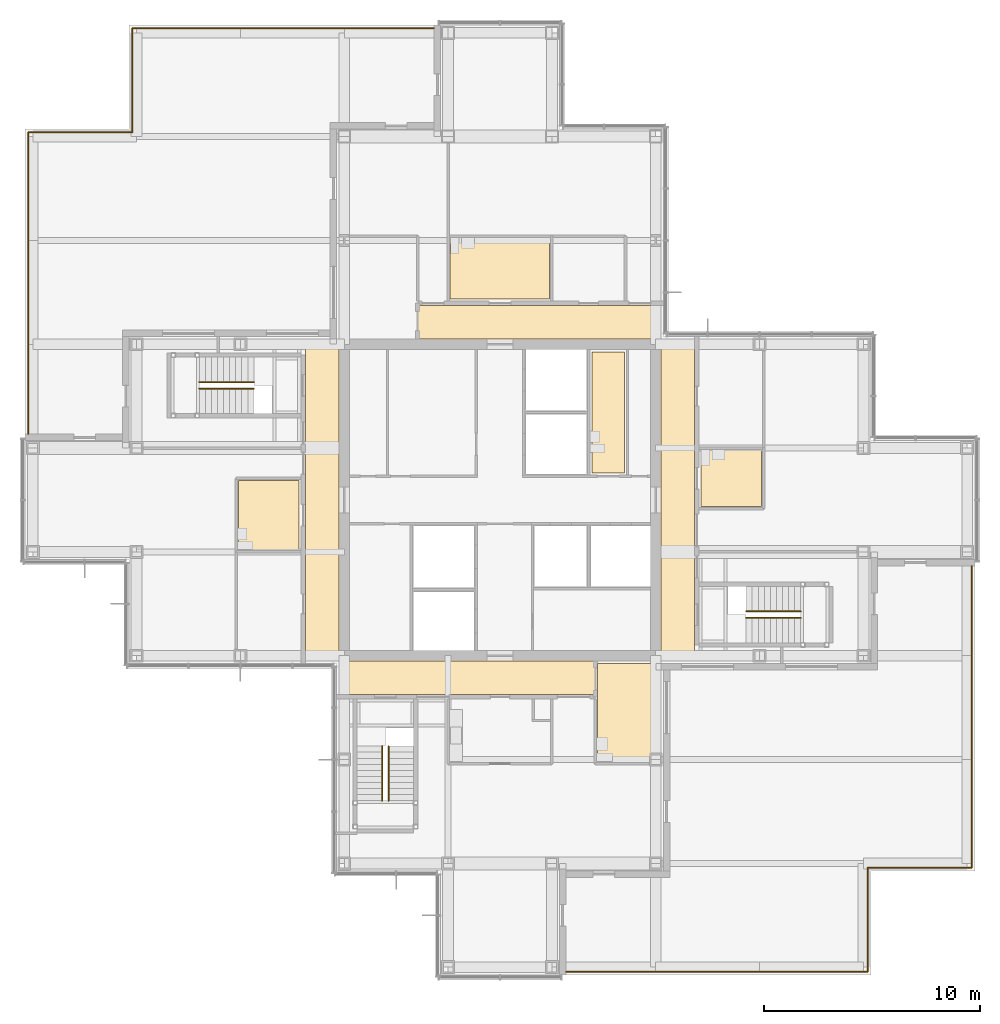
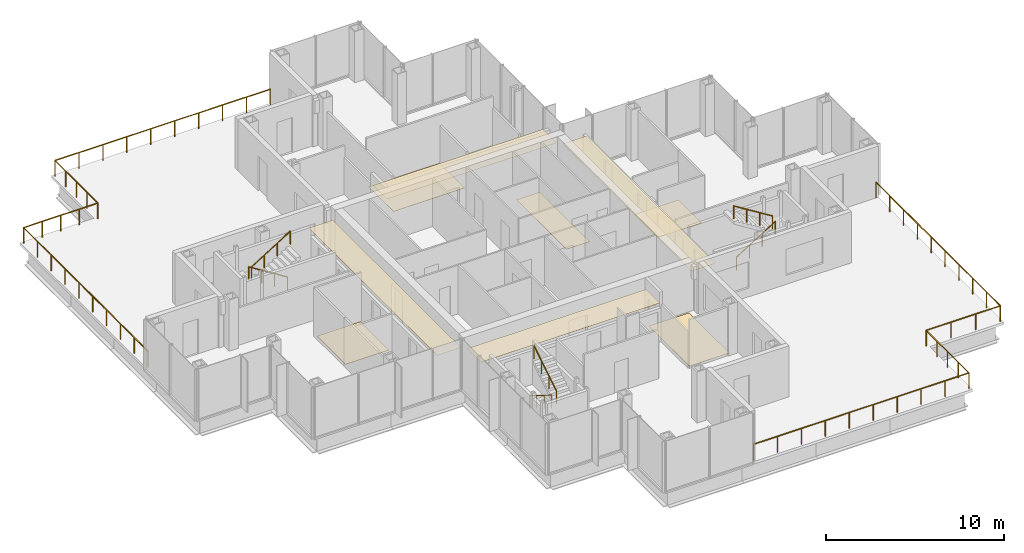
# One storey, part 15 of 17: 14 railings, 9 coverings.
"""IFC4 building model written with IfcOpenShell, lengths in metres."""

from ifc_helpers import new_model, si_unit, direction, frame, origin, origin_2d, place, context, subcontext, project, spatial, polyline, circle, outline, extrude, material, layer, layer_set, type_object, element, save


model = new_model("IFC4")

# Units and contexts
model_context = context("Model", 3, precision=1e-05, world=origin(), true_north=direction((0.0, 1.0)))
body_context = subcontext(model_context, "Body", "Model", "MODEL_VIEW")
ifc_project = project(units=[si_unit("LENGTHUNIT", "METRE"), si_unit("AREAUNIT", "SQUARE_METRE"), si_unit("VOLUMEUNIT", "CUBIC_METRE"), si_unit("PLANEANGLEUNIT", "RADIAN"), si_unit("MASSUNIT", "GRAM", prefix="KILO")], contexts=[model_context])

# Site, building, storey
site_placement = place(None, origin())
site = spatial("IfcSite", under=ifc_project, at=site_placement, CompositionType="ELEMENT")
building_placement = place(site_placement, origin())
building = spatial("IfcBuilding", under=site, at=building_placement, Name="Kvirike Care Tower", CompositionType="ELEMENT")
storey_placement = place(building_placement, frame((0.0, 0.0, 141.0)))
storey = spatial("IfcBuildingStorey", under=building, at=storey_placement, Name="L38", CompositionType="ELEMENT", Elevation=141.0)

# Coverings
ifc_material_1 = material(Name="Perforated metal ceiling tile", Category="aluminium")
ifc_layer_1 = layer(ifc_material_1, 0.014892578125)
ifc_layer_set_1 = layer_set([ifc_layer_1], Name="CORRIDOR CEILING 15")
covering_type_1 = type_object("IfcCoveringType", Name="CORRIDOR CEILING 15", PredefinedType="CEILING", material=ifc_layer_set_1)
covering_1_placement = place(storey_placement, frame((0.0, 0.0, 2.5)))
element("IfcCovering", 1, at=covering_1_placement, inside=storey, type_object=covering_type_1, Name="Corridor ceiling L38", PredefinedType="CEILING", context=body_context, shape_type="SweptSolid", body=[
    extrude(outline(polyline([(12.60009765625, 43.199951171875), (14.14990234375, 43.199951171875), (14.14990234375, 28.800048828125), (12.60009765625, 28.800048828125), (12.60009765625, 43.199951171875)])), origin(), (0.0, 0.0, 1.0), 0.014892578125),
])
covering_2_placement = place(storey_placement, frame((0.0, 0.0, 2.5)))
element("IfcCovering", 2, at=covering_2_placement, inside=storey, type_object=covering_type_1, Name="Corridor ceiling L38", PredefinedType="CEILING", context=body_context, shape_type="SweptSolid", body=[
    extrude(outline(polyline([(14.39990234375, 28.550048828125), (26.0, 28.550048828125), (26.0, 27.0), (14.39990234375, 27.0), (14.39990234375, 28.550048828125)])), origin(), (0.0, 0.0, 1.0), 0.014892578125),
])
covering_3_placement = place(storey_placement, frame((0.0, 0.0, 2.5)))
element("IfcCovering", 3, at=covering_3_placement, inside=storey, type_object=covering_type_1, Name="Corridor ceiling L38", PredefinedType="CEILING", context=body_context, shape_type="SweptSolid", body=[
    extrude(outline(polyline([(28.800048828125, 43.449951171875), (17.800048828125, 43.449951171875), (17.800048828125, 45.0), (28.800048828125, 45.0), (28.800048828125, 43.449951171875)])), origin(), (0.0, 0.0, 1.0), 0.014892578125),
])
covering_4_placement = place(storey_placement, frame((0.0, 0.0, 2.5)))
element("IfcCovering", 4, at=covering_4_placement, inside=storey, type_object=covering_type_1, Name="Corridor ceiling L38", PredefinedType="CEILING", context=body_context, shape_type="SweptSolid", body=[
    extrude(outline(polyline([(30.60009765625, 28.800048828125), (29.050048828125, 28.800048828125), (29.050048828125, 43.199951171875), (30.60009765625, 43.199951171875), (30.60009765625, 28.800048828125)])), origin(), (0.0, 0.0, 1.0), 0.014892578125),
])

# Railings
ifc_material_2 = material(Name="Stainless steel handrail", Category="steel")
railing_type_1 = type_object("IfcRailingType", Name="STAIR HANDRAIL 900", PredefinedType="HANDRAIL", material=ifc_material_2)
railing_1_placement = place(storey_placement, frame((10.219970703125, 41.449951171875, 0.175048828125)))
element("IfcRailing", 5, at=railing_1_placement, inside=storey, type_object=railing_type_1, Name="Stair 1 handrail L38 flight 1", PredefinedType="HANDRAIL", context=body_context, shape_type="SweptSolid", body=[
    extrude(circle(Radius=0.02490234375, at=origin_2d()), frame((0.0, 0.0, 0.875), z_axis=(-0.848007534815, 0.0, 0.529984170421), x_axis=(0.0, -1.0, 0.0)), (0.0, 0.0, 1.0), 2.9716796875),
    extrude(circle(Radius=0.02001953125, at=origin_2d()), origin(), (0.0, 0.0, 1.0), 0.849853515625),
    extrude(circle(Radius=0.02001953125, at=origin_2d()), frame((-0.840087890625, 0.0, 0.52490234375)), (0.0, 0.0, 1.0), 0.849853515625),
    extrude(circle(Radius=0.02001953125, at=origin_2d()), frame((-1.679931640625, 0.0, 1.050048828125)), (0.0, 0.0, 1.0), 0.849853515625),
    extrude(circle(Radius=0.02001953125, at=origin_2d()), frame((-2.52001953125, 0.0, 1.574951171875)), (0.0, 0.0, 1.0), 0.849853515625),
])
for number, where, name in (
    (6, (7.699951171875, 41.14990234375, 1.925048828125), "Stair 1 handrail L38 flight 2"),
    (7, (32.97998046875, 30.550048828125, 0.175048828125), "Stair 2 handrail L38 flight 1"),
):
    element("IfcRailing", number, at=place(storey_placement, frame(where)), inside=storey, type_object=railing_type_1, Name=name, PredefinedType="HANDRAIL", context=body_context, shape_type="SweptSolid", body=[
        extrude(circle(Radius=0.02490234375, at=origin_2d()), frame((0.0, 0.0, 0.875), z_axis=(0.848007534815, 0.0, 0.529984170421), x_axis=(0.0, 1.0, 0.0)), (0.0, 0.0, 1.0), 2.9716796875),
        extrude(circle(Radius=0.02001953125, at=origin_2d()), origin(), (0.0, 0.0, 1.0), 0.849853515625),
        extrude(circle(Radius=0.02001953125, at=origin_2d()), frame((0.840087890625, 0.0, 0.52490234375)), (0.0, 0.0, 1.0), 0.849853515625),
        extrude(circle(Radius=0.02001953125, at=origin_2d()), frame((1.679931640625, 0.0, 1.050048828125)), (0.0, 0.0, 1.0), 0.849853515625),
        extrude(circle(Radius=0.02001953125, at=origin_2d()), frame((2.52001953125, 0.0, 1.574951171875)), (0.0, 0.0, 1.0), 0.849853515625),
    ])
railing_2_placement = place(storey_placement, frame((35.5, 30.85009765625, 1.925048828125)))
element("IfcRailing", 8, at=railing_2_placement, inside=storey, type_object=railing_type_1, Name="Stair 2 handrail L38 flight 2", PredefinedType="HANDRAIL", context=body_context, shape_type="SweptSolid", body=[
    extrude(circle(Radius=0.02490234375, at=origin_2d()), frame((0.0, 0.0, 0.875), z_axis=(-0.848007534815, 0.0, 0.529984170421), x_axis=(0.0, -1.0, 0.0)), (0.0, 0.0, 1.0), 2.9716796875),
    extrude(circle(Radius=0.02001953125, at=origin_2d()), origin(), (0.0, 0.0, 1.0), 0.849853515625),
    extrude(circle(Radius=0.02001953125, at=origin_2d()), frame((-0.840087890625, 0.0, 0.52490234375)), (0.0, 0.0, 1.0), 0.849853515625),
    extrude(circle(Radius=0.02001953125, at=origin_2d()), frame((-1.679931640625, 0.0, 1.050048828125)), (0.0, 0.0, 1.0), 0.849853515625),
    extrude(circle(Radius=0.02001953125, at=origin_2d()), frame((-2.52001953125, 0.0, 1.574951171875)), (0.0, 0.0, 1.0), 0.849853515625),
])
railing_3_placement = place(storey_placement, frame((16.14990234375, 24.6201171875, 0.175048828125)))
element("IfcRailing", 9, at=railing_3_placement, inside=storey, type_object=railing_type_1, Name="Stair 5 handrail L38 flight 1", PredefinedType="HANDRAIL", context=body_context, shape_type="SweptSolid", body=[
    extrude(circle(Radius=0.02490234375, at=origin_2d()), frame((0.0, 0.0, 0.875), z_axis=(0.0, -0.848007534815, 0.529984170421), x_axis=(1.0, 0.0, 0.0)), (0.0, 0.0, 1.0), 2.9716796875),
    extrude(circle(Radius=0.02001953125, at=origin_2d()), origin(), (0.0, 0.0, 1.0), 0.849853515625),
    extrude(circle(Radius=0.02001953125, at=origin_2d()), frame((0.0, -0.840087890625, 0.52490234375)), (0.0, 0.0, 1.0), 0.849853515625),
    extrude(circle(Radius=0.02001953125, at=origin_2d()), frame((0.0, -1.679931640625, 1.050048828125)), (0.0, 0.0, 1.0), 0.849853515625),
    extrude(circle(Radius=0.02001953125, at=origin_2d()), frame((0.0, -2.52001953125, 1.574951171875)), (0.0, 0.0, 1.0), 0.849853515625),
])
railing_4_placement = place(storey_placement, frame((16.449951171875, 22.10009765625, 1.925048828125)))
element("IfcRailing", 10, at=railing_4_placement, inside=storey, type_object=railing_type_1, Name="Stair 5 handrail L38 flight 2", PredefinedType="HANDRAIL", context=body_context, shape_type="SweptSolid", body=[
    extrude(circle(Radius=0.02490234375, at=origin_2d()), frame((0.0, 0.0, 0.875), z_axis=(0.0, 0.848007534815, 0.529984170421), x_axis=(-1.0, 0.0, 0.0)), (0.0, 0.0, 1.0), 2.9716796875),
    extrude(circle(Radius=0.02001953125, at=origin_2d()), origin(), (0.0, 0.0, 1.0), 0.849853515625),
    extrude(circle(Radius=0.02001953125, at=origin_2d()), frame((0.0, 0.840087890625, 0.52490234375)), (0.0, 0.0, 1.0), 0.849853515625),
    extrude(circle(Radius=0.02001953125, at=origin_2d()), frame((0.0, 1.679931640625, 1.050048828125)), (0.0, 0.0, 1.0), 0.849853515625),
    extrude(circle(Radius=0.02001953125, at=origin_2d()), frame((0.0, 2.52001953125, 1.574951171875)), (0.0, 0.0, 1.0), 0.849853515625),
])
ifc_material_3 = material(Name="Bronze-finish steel guard with glass infill", Category="steel")
railing_type_2 = type_object("IfcRailingType", Name="TERRACE GUARD 1100", PredefinedType="GUARDRAIL", material=ifc_material_3)
railing_5_placement = place(storey_placement, frame((43.39990234375, 19.0, 0.0)))
element("IfcRailing", 11, at=railing_5_placement, inside=storey, type_object=railing_type_2, Name="Terrace guard L38 1", PredefinedType="GUARDRAIL", context=body_context, shape_type="SweptSolid", body=[
    extrude(circle(Radius=0.02392578125, at=origin_2d()), frame((0.0, 0.0, 1.076171875), z_axis=(0.0, 1.0, 0.0), x_axis=(-1.0, 0.0, 0.0)), (0.0, 0.0, 1.0), 13.949951171875),
    extrude(circle(Radius=0.02099609375, at=origin_2d()), origin(), (0.0, 0.0, 1.0), 1.052001953125),
    extrude(circle(Radius=0.02099609375, at=origin_2d()), frame((0.0, 1.550048828125, 0.0)), (0.0, 0.0, 1.0), 1.052001953125),
    extrude(circle(Radius=0.02099609375, at=origin_2d()), frame((0.0, 3.10009765625, 0.0)), (0.0, 0.0, 1.0), 1.052001953125),
    extrude(circle(Radius=0.02099609375, at=origin_2d()), frame((0.0, 4.64990234375, 0.0)), (0.0, 0.0, 1.0), 1.052001953125),
    extrude(circle(Radius=0.02099609375, at=origin_2d()), frame((0.0, 6.199951171875, 0.0)), (0.0, 0.0, 1.0), 1.052001953125),
    extrude(circle(Radius=0.02099609375, at=origin_2d()), frame((0.0, 7.75, 0.0)), (0.0, 0.0, 1.0), 1.052001953125),
    extrude(circle(Radius=0.02099609375, at=origin_2d()), frame((0.0, 9.300048828125, 0.0)), (0.0, 0.0, 1.0), 1.052001953125),
    extrude(circle(Radius=0.02099609375, at=origin_2d()), frame((0.0, 10.849853515625, 0.0)), (0.0, 0.0, 1.0), 1.052001953125),
    extrude(circle(Radius=0.02099609375, at=origin_2d()), frame((0.0, 12.39990234375, 0.0)), (0.0, 0.0, 1.0), 1.052001953125),
    extrude(circle(Radius=0.02099609375, at=origin_2d()), frame((0.0, 13.949951171875, 0.0)), (0.0, 0.0, 1.0), 1.052001953125),
])
railing_6_placement = place(storey_placement, frame((18.550048828125, 57.800048828125, 0.0)))
element("IfcRailing", 12, at=railing_6_placement, inside=storey, type_object=railing_type_2, Name="Terrace guard L38 2", PredefinedType="GUARDRAIL", context=body_context, shape_type="SweptSolid", body=[
    extrude(circle(Radius=0.02392578125, at=origin_2d()), frame((0.0, 0.0, 1.076171875), z_axis=(-1.0, 0.0, 0.0), x_axis=(0.0, -1.0, 0.0)), (0.0, 0.0, 1.0), 13.949951171875),
    extrude(circle(Radius=0.02099609375, at=origin_2d()), origin(), (0.0, 0.0, 1.0), 1.052001953125),
    extrude(circle(Radius=0.02099609375, at=origin_2d()), frame((-1.550048828125, 0.0, 0.0)), (0.0, 0.0, 1.0), 1.052001953125),
    extrude(circle(Radius=0.02099609375, at=origin_2d()), frame((-3.10009765625, 0.0, 0.0)), (0.0, 0.0, 1.0), 1.052001953125),
    extrude(circle(Radius=0.02099609375, at=origin_2d()), frame((-4.64990234375, 0.0, 0.0)), (0.0, 0.0, 1.0), 1.052001953125),
    extrude(circle(Radius=0.02099609375, at=origin_2d()), frame((-6.199951171875, 0.0, 0.0)), (0.0, 0.0, 1.0), 1.052001953125),
    extrude(circle(Radius=0.02099609375, at=origin_2d()), frame((-7.75, 0.0, 0.0)), (0.0, 0.0, 1.0), 1.052001953125),
    extrude(circle(Radius=0.02099609375, at=origin_2d()), frame((-9.300048828125, 0.0, 0.0)), (0.0, 0.0, 1.0), 1.052001953125),
    extrude(circle(Radius=0.02099609375, at=origin_2d()), frame((-10.849853515625, 0.0, 0.0)), (0.0, 0.0, 1.0), 1.052001953125),
    extrude(circle(Radius=0.02099609375, at=origin_2d()), frame((-12.39990234375, 0.0, 0.0)), (0.0, 0.0, 1.0), 1.052001953125),
    extrude(circle(Radius=0.02099609375, at=origin_2d()), frame((-13.949951171875, 0.0, 0.0)), (0.0, 0.0, 1.0), 1.052001953125),
])
railing_7_placement = place(storey_placement, frame((4.60009765625, 57.800048828125, 0.0)))
element("IfcRailing", 13, at=railing_7_placement, inside=storey, type_object=railing_type_2, Name="Terrace guard L38 3", PredefinedType="GUARDRAIL", context=body_context, shape_type="SweptSolid", body=[
    extrude(circle(Radius=0.02392578125, at=origin_2d()), frame((0.0, 0.0, 1.076171875), z_axis=(0.0, -1.0, 0.0), x_axis=(1.0, 0.0, 0.0)), (0.0, 0.0, 1.0), 4.800048828125),
    extrude(circle(Radius=0.02099609375, at=origin_2d()), origin(), (0.0, 0.0, 1.0), 1.052001953125),
    extrude(circle(Radius=0.02099609375, at=origin_2d()), frame((0.0, -1.199951171875, 0.0)), (0.0, 0.0, 1.0), 1.052001953125),
    extrude(circle(Radius=0.02099609375, at=origin_2d()), frame((0.0, -2.39990234375, 0.0)), (0.0, 0.0, 1.0), 1.052001953125),
    extrude(circle(Radius=0.02099609375, at=origin_2d()), frame((0.0, -3.60009765625, 0.0)), (0.0, 0.0, 1.0), 1.052001953125),
    extrude(circle(Radius=0.02099609375, at=origin_2d()), frame((0.0, -4.800048828125, 0.0)), (0.0, 0.0, 1.0), 1.052001953125),
])
railing_8_placement = place(storey_placement, frame((4.60009765625, 53.0, 0.0)))
element("IfcRailing", 14, at=railing_8_placement, inside=storey, type_object=railing_type_2, Name="Terrace guard L38 4", PredefinedType="GUARDRAIL", context=body_context, shape_type="SweptSolid", body=[
    extrude(circle(Radius=0.02392578125, at=origin_2d()), frame((0.0, 0.0, 1.076171875), z_axis=(-1.0, 0.0, 0.0), x_axis=(0.0, -1.0, 0.0)), (0.0, 0.0, 1.0), 4.800048828125),
    extrude(circle(Radius=0.02099609375, at=origin_2d()), origin(), (0.0, 0.0, 1.0), 1.052001953125),
    extrude(circle(Radius=0.02099609375, at=origin_2d()), frame((-1.199951171875, 0.0, 0.0)), (0.0, 0.0, 1.0), 1.052001953125),
    extrude(circle(Radius=0.02099609375, at=origin_2d()), frame((-2.39990234375, 0.0, 0.0)), (0.0, 0.0, 1.0), 1.052001953125),
    extrude(circle(Radius=0.02099609375, at=origin_2d()), frame((-3.60009765625, 0.0, 0.0)), (0.0, 0.0, 1.0), 1.052001953125),
    extrude(circle(Radius=0.02099609375, at=origin_2d()), frame((-4.800048828125, 0.0, 0.0)), (0.0, 0.0, 1.0), 1.052001953125),
])
railing_9_placement = place(storey_placement, frame((-0.199951171875, 53.0, 0.0)))
element("IfcRailing", 15, at=railing_9_placement, inside=storey, type_object=railing_type_2, Name="Terrace guard L38 5", PredefinedType="GUARDRAIL", context=body_context, shape_type="SweptSolid", body=[
    extrude(circle(Radius=0.02392578125, at=origin_2d()), frame((0.0, 0.0, 1.076171875), z_axis=(0.0, -1.0, 0.0), x_axis=(1.0, 0.0, 0.0)), (0.0, 0.0, 1.0), 13.949951171875),
    extrude(circle(Radius=0.02099609375, at=origin_2d()), origin(), (0.0, 0.0, 1.0), 1.052001953125),
    extrude(circle(Radius=0.02099609375, at=origin_2d()), frame((0.0, -1.550048828125, 0.0)), (0.0, 0.0, 1.0), 1.052001953125),
    extrude(circle(Radius=0.02099609375, at=origin_2d()), frame((0.0, -3.10009765625, 0.0)), (0.0, 0.0, 1.0), 1.052001953125),
    extrude(circle(Radius=0.02099609375, at=origin_2d()), frame((0.0, -4.64990234375, 0.0)), (0.0, 0.0, 1.0), 1.052001953125),
    extrude(circle(Radius=0.02099609375, at=origin_2d()), frame((0.0, -6.199951171875, 0.0)), (0.0, 0.0, 1.0), 1.052001953125),
    extrude(circle(Radius=0.02099609375, at=origin_2d()), frame((0.0, -7.75, 0.0)), (0.0, 0.0, 1.0), 1.052001953125),
    extrude(circle(Radius=0.02099609375, at=origin_2d()), frame((0.0, -9.300048828125, 0.0)), (0.0, 0.0, 1.0), 1.052001953125),
    extrude(circle(Radius=0.02099609375, at=origin_2d()), frame((0.0, -10.849853515625, 0.0)), (0.0, 0.0, 1.0), 1.052001953125),
    extrude(circle(Radius=0.02099609375, at=origin_2d()), frame((0.0, -12.39990234375, 0.0)), (0.0, 0.0, 1.0), 1.052001953125),
    extrude(circle(Radius=0.02099609375, at=origin_2d()), frame((0.0, -13.949951171875, 0.0)), (0.0, 0.0, 1.0), 1.052001953125),
])
railing_10_placement = place(storey_placement, frame((24.64990234375, 14.199951171875, 0.0)))
element("IfcRailing", 16, at=railing_10_placement, inside=storey, type_object=railing_type_2, Name="Terrace guard L38 6", PredefinedType="GUARDRAIL", context=body_context, shape_type="SweptSolid", body=[
    extrude(circle(Radius=0.02392578125, at=origin_2d()), frame((0.0, 0.0, 1.076171875), z_axis=(1.0, 0.0, 0.0), x_axis=(0.0, 1.0, 0.0)), (0.0, 0.0, 1.0), 13.9501953125),
    extrude(circle(Radius=0.02099609375, at=origin_2d()), origin(), (0.0, 0.0, 1.0), 1.052001953125),
    extrude(circle(Radius=0.02099609375, at=origin_2d()), frame((1.550048828125, 0.0, 0.0)), (0.0, 0.0, 1.0), 1.052001953125),
    extrude(circle(Radius=0.02099609375, at=origin_2d()), frame((3.10009765625, 0.0, 0.0)), (0.0, 0.0, 1.0), 1.052001953125),
    extrude(circle(Radius=0.02099609375, at=origin_2d()), frame((4.650146484375, 0.0, 0.0)), (0.0, 0.0, 1.0), 1.052001953125),
    extrude(circle(Radius=0.02099609375, at=origin_2d()), frame((6.2001953125, 0.0, 0.0)), (0.0, 0.0, 1.0), 1.052001953125),
    extrude(circle(Radius=0.02099609375, at=origin_2d()), frame((7.75, 0.0, 0.0)), (0.0, 0.0, 1.0), 1.052001953125),
    extrude(circle(Radius=0.02099609375, at=origin_2d()), frame((9.300048828125, 0.0, 0.0)), (0.0, 0.0, 1.0), 1.052001953125),
    extrude(circle(Radius=0.02099609375, at=origin_2d()), frame((10.85009765625, 0.0, 0.0)), (0.0, 0.0, 1.0), 1.052001953125),
    extrude(circle(Radius=0.02099609375, at=origin_2d()), frame((12.400146484375, 0.0, 0.0)), (0.0, 0.0, 1.0), 1.052001953125),
    extrude(circle(Radius=0.02099609375, at=origin_2d()), frame((13.9501953125, 0.0, 0.0)), (0.0, 0.0, 1.0), 1.052001953125),
])
railing_11_placement = place(storey_placement, frame((38.60009765625, 14.199951171875, 0.0)))
element("IfcRailing", 17, at=railing_11_placement, inside=storey, type_object=railing_type_2, Name="Terrace guard L38 7", PredefinedType="GUARDRAIL", context=body_context, shape_type="SweptSolid", body=[
    extrude(circle(Radius=0.02392578125, at=origin_2d()), frame((0.0, 0.0, 1.076171875), z_axis=(0.0, 1.0, 0.0), x_axis=(-1.0, 0.0, 0.0)), (0.0, 0.0, 1.0), 4.800048828125),
    extrude(circle(Radius=0.02099609375, at=origin_2d()), origin(), (0.0, 0.0, 1.0), 1.052001953125),
    extrude(circle(Radius=0.02099609375, at=origin_2d()), frame((0.0, 1.199951171875, 0.0)), (0.0, 0.0, 1.0), 1.052001953125),
    extrude(circle(Radius=0.02099609375, at=origin_2d()), frame((0.0, 2.39990234375, 0.0)), (0.0, 0.0, 1.0), 1.052001953125),
    extrude(circle(Radius=0.02099609375, at=origin_2d()), frame((0.0, 3.60009765625, 0.0)), (0.0, 0.0, 1.0), 1.052001953125),
    extrude(circle(Radius=0.02099609375, at=origin_2d()), frame((0.0, 4.800048828125, 0.0)), (0.0, 0.0, 1.0), 1.052001953125),
])
railing_12_placement = place(storey_placement, frame((38.60009765625, 19.0, 0.0)))
element("IfcRailing", 18, at=railing_12_placement, inside=storey, type_object=railing_type_2, Name="Terrace guard L38 8", PredefinedType="GUARDRAIL", context=body_context, shape_type="SweptSolid", body=[
    extrude(circle(Radius=0.02392578125, at=origin_2d()), frame((0.0, 0.0, 1.076171875), z_axis=(1.0, 0.0, 0.0), x_axis=(0.0, 1.0, 0.0)), (0.0, 0.0, 1.0), 4.7998046875),
    extrude(circle(Radius=0.02099609375, at=origin_2d()), origin(), (0.0, 0.0, 1.0), 1.052001953125),
    extrude(circle(Radius=0.02099609375, at=origin_2d()), frame((1.599853515625, 0.0, 0.0)), (0.0, 0.0, 1.0), 1.052001953125),
    extrude(circle(Radius=0.02099609375, at=origin_2d()), frame((3.199951171875, 0.0, 0.0)), (0.0, 0.0, 1.0), 1.052001953125),
    extrude(circle(Radius=0.02099609375, at=origin_2d()), frame((4.7998046875, 0.0, 0.0)), (0.0, 0.0, 1.0), 1.052001953125),
])

# Coverings
ifc_material_4 = material(Name="Slip-resistant vinyl safety flooring on screed")
ifc_layer_2 = layer(ifc_material_4, 0.02001953125)
ifc_layer_set_2 = layer_set([ifc_layer_2], Name="WET ROOM FLOOR 20")
covering_type_2 = type_object("IfcCoveringType", Name="WET ROOM FLOOR 20", PredefinedType="FLOORING", material=ifc_layer_set_2)
covering_5_placement = place(storey_placement, origin())
element("IfcCovering", 19, at=covering_5_placement, inside=storey, type_object=covering_type_2, Name="Staff WC floor L38-005", PredefinedType="FLOORING", context=body_context, shape_type="SweptSolid", body=[
    extrude(outline(polyline([(12.300048828125, 36.89990234375), (12.300048828125, 33.699951171875), (9.5, 33.699951171875), (9.5, 36.89990234375), (12.300048828125, 36.89990234375)])), origin(), (0.0, 0.0, 1.0), 0.02001953125),
])
covering_6_placement = place(storey_placement, origin())
element("IfcCovering", 20, at=covering_6_placement, inside=storey, type_object=covering_type_2, Name="Accessible WC floor L38-012", PredefinedType="FLOORING", context=body_context, shape_type="SweptSolid", body=[
    extrude(outline(polyline([(28.699951171875, 23.89990234375), (26.10009765625, 23.89990234375), (26.10009765625, 28.449951171875), (28.699951171875, 28.449951171875), (28.699951171875, 23.89990234375)])), origin(), (0.0, 0.0, 1.0), 0.02001953125),
])
covering_7_placement = place(storey_placement, origin())
element("IfcCovering", 21, at=covering_7_placement, inside=storey, type_object=covering_type_2, Name="Accessible WC floor L38-017", PredefinedType="FLOORING", context=body_context, shape_type="SweptSolid", body=[
    extrude(outline(polyline([(23.89990234375, 45.300048828125), (19.300048828125, 45.300048828125), (19.300048828125, 48.10009765625), (23.89990234375, 48.10009765625), (23.89990234375, 45.300048828125)])), origin(), (0.0, 0.0, 1.0), 0.02001953125),
])
covering_8_placement = place(storey_placement, origin())
element("IfcCovering", 22, at=covering_8_placement, inside=storey, type_object=covering_type_2, Name="Accessible WC floor L38-023", PredefinedType="FLOORING", context=body_context, shape_type="SweptSolid", body=[
    extrude(outline(polyline([(30.89990234375, 35.699951171875), (30.89990234375, 38.300048828125), (33.699951171875, 38.300048828125), (33.699951171875, 35.699951171875), (30.89990234375, 35.699951171875)])), origin(), (0.0, 0.0, 1.0), 0.02001953125),
])
covering_9_placement = place(storey_placement, origin())
element("IfcCovering", 23, at=covering_9_placement, inside=storey, type_object=covering_type_2, Name="Staff WC floor L38-033", PredefinedType="FLOORING", context=body_context, shape_type="SweptSolid", body=[
    extrude(outline(polyline([(27.35009765625, 37.25), (25.85009765625, 37.25), (25.85009765625, 42.85009765625), (27.35009765625, 42.85009765625), (27.35009765625, 37.25)])), origin(), (0.0, 0.0, 1.0), 0.02001953125),
])

save(model, "model.ifc")
